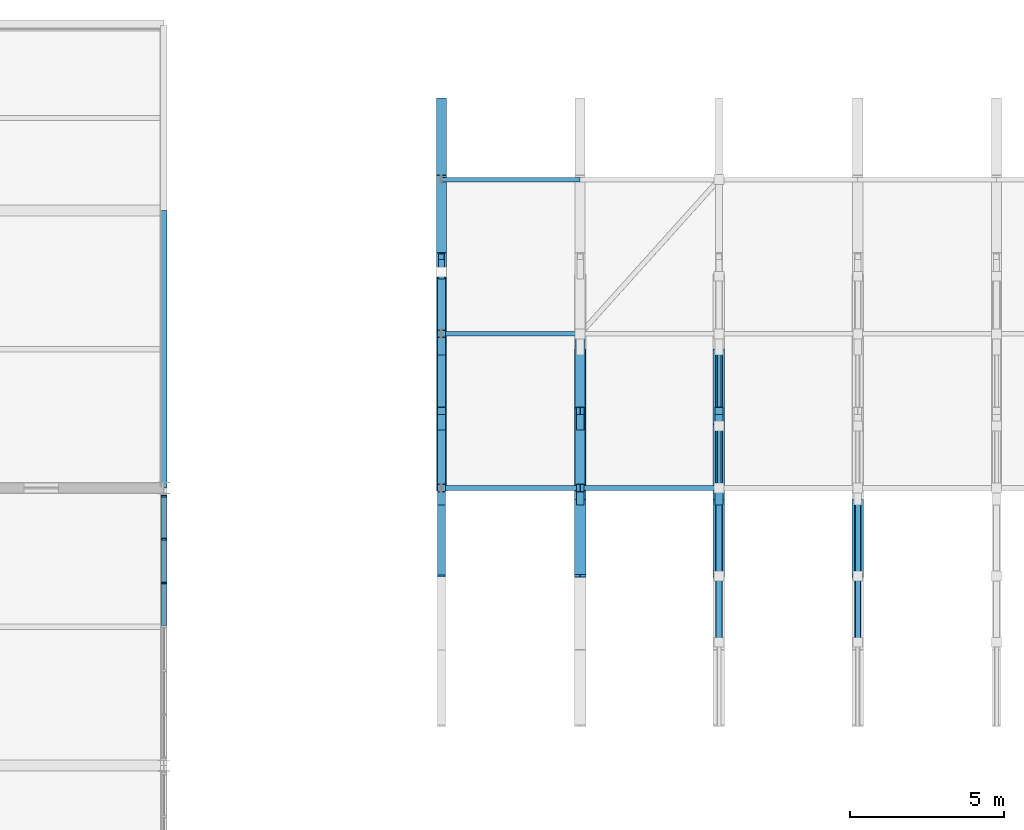
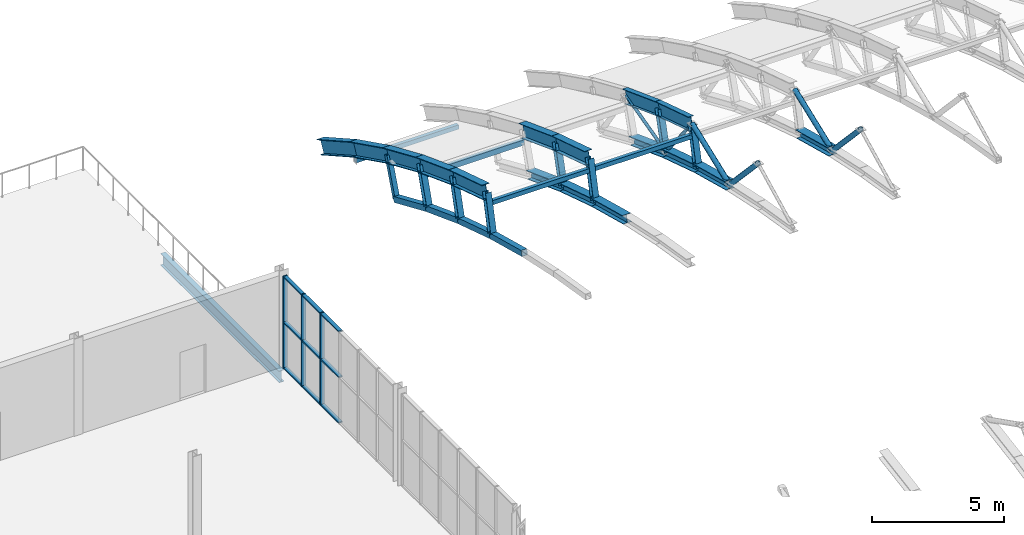
# One storey, part 37 of 103: 41 members, 10 beams, 1 element without a shape of its own.
"""IFC4 building model written with IfcOpenShell, lengths in metres."""

from ifc_helpers import new_model, si_unit, direction, frame, origin, origin_2d, place, context, subcontext, project, spatial, rectangle, hollow_rectangle, hollow_circle, i_section, extrude, material, layer, layer_set, material_profile, profile_set, type_object, element, aggregate, save


model = new_model("IFC4")

# Units and contexts
model_context = context("Model", 3, precision=1e-05, world=origin(), true_north=direction((0.0, 1.0)))
body_context = subcontext(model_context, "Body", "Model", "MODEL_VIEW")
ifc_project = project(units=[si_unit("LENGTHUNIT", "METRE"), si_unit("AREAUNIT", "SQUARE_METRE"), si_unit("VOLUMEUNIT", "CUBIC_METRE"), si_unit("PLANEANGLEUNIT", "RADIAN"), si_unit("MASSUNIT", "GRAM", prefix="KILO")], contexts=[model_context])

# Site, building, storey
site_placement = place(None, origin())
site = spatial("IfcSite", under=ifc_project, at=site_placement, CompositionType="ELEMENT")
building_placement = place(site_placement, origin())
building = spatial("IfcBuilding", under=site, at=building_placement, Name="Cazmaro Siding Exhibition Halls", CompositionType="ELEMENT")
storey_placement = place(building_placement, frame((0.0, 0.0, 16.5)))
storey = spatial("IfcBuildingStorey", under=building, at=storey_placement, Name="L03", CompositionType="ELEMENT", Elevation=16.5)

# Beams
ifc_material_1 = material(Name="Steel ASTM A992 Grade 50", Category="steel")
ifc_material_profile_1 = material_profile(ifc_material_1, i_section(OverallWidth=0.327880859375, OverallDepth=0.626953125, WebThickness=0.01708984375, FlangeThickness=0.028076171875, at=origin_2d()), Name="W24X146")
ifc_profile_set_1 = profile_set([ifc_material_profile_1], Name="Steel ASTM A992 Grade 50")
beam_type_1 = type_object("IfcBeamType", Name="AR-01", PredefinedType="USERDEFINED", material=ifc_profile_set_1)
beam_1_placement = place(storey_placement, frame((45.0, 109.0, 4.85498046875), z_axis=(0.0, 0.952769241759, -0.303695195811), x_axis=(-1.0, 0.0, 0.0)))
element("IfcBeam", 1, at=beam_1_placement, inside=storey, type_object=beam_type_1, Name="Space frame barrel vault arched rib AR-01 BM-0553", ObjectType="ARCHED RIB", PredefinedType="USERDEFINED", context=body_context, shape_type="SweptSolid", body=[
    extrude(i_section(OverallWidth=0.327880859375, OverallDepth=0.626953125, WebThickness=0.01708984375, FlangeThickness=0.028076171875, at=origin_2d()), origin(), (0.0, 0.0, 1.0), 2.6240234375),
])
beam_2_placement = place(storey_placement, frame((45.0, 111.5, 4.05810546875), z_axis=(0.0, 0.936509460339, -0.350642311615), x_axis=(-1.0, 0.0, 0.0)))
element("IfcBeam", 2, at=beam_2_placement, inside=storey, type_object=beam_type_1, Name="Space frame barrel vault arched rib AR-01 BM-0554", ObjectType="ARCHED RIB", PredefinedType="USERDEFINED", context=body_context, shape_type="SweptSolid", body=[
    extrude(i_section(OverallWidth=0.327880859375, OverallDepth=0.626953125, WebThickness=0.01708984375, FlangeThickness=0.028076171875, at=origin_2d()), origin(), (0.0, 0.0, 1.0), 2.66943359375),
])
beam_3_placement = place(storey_placement, frame((45.0, 114.0, 3.1220703125), z_axis=(0.0, 0.917729918626, -0.397204980405), x_axis=(-1.0, 0.0, 0.0)))
element("IfcBeam", 3, at=beam_3_placement, inside=storey, type_object=beam_type_1, Name="Space frame barrel vault arched rib AR-01 BM-0555", ObjectType="ARCHED RIB", PredefinedType="USERDEFINED", context=body_context, shape_type="SweptSolid", body=[
    extrude(i_section(OverallWidth=0.327880859375, OverallDepth=0.626953125, WebThickness=0.01708984375, FlangeThickness=0.028076171875, at=origin_2d()), origin(), (0.0, 0.0, 1.0), 2.72412109375),
])
beam_4_placement = place(storey_placement, frame((45.0, 116.5, 2.0400390625), z_axis=(0.0, 0.895996638269, -0.444060833908), x_axis=(-1.0, 0.0, 0.0)))
element("IfcBeam", 4, at=beam_4_placement, inside=storey, type_object=beam_type_1, Name="Space frame barrel vault arched rib AR-01 BM-0556", ObjectType="ARCHED RIB", PredefinedType="USERDEFINED", context=body_context, shape_type="SweptSolid", body=[
    extrude(i_section(OverallWidth=0.327880859375, OverallDepth=0.626953125, WebThickness=0.01708984375, FlangeThickness=0.028076171875, at=origin_2d()), origin(), (0.0, 0.0, 1.0), 2.790283203125),
])
beam_5_placement = place(storey_placement, frame((45.0, 119.0, 0.801025390625), z_axis=(0.0, 0.871320907359, -0.490713639916), x_axis=(-1.0, 0.0, 0.0)))
element("IfcBeam", 5, at=beam_5_placement, inside=storey, type_object=beam_type_1, Name="Space frame barrel vault arched rib AR-01 BM-0557", ObjectType="ARCHED RIB", PredefinedType="USERDEFINED", context=body_context, shape_type="SweptSolid", body=[
    extrude(i_section(OverallWidth=0.327880859375, OverallDepth=0.626953125, WebThickness=0.01708984375, FlangeThickness=0.028076171875, at=origin_2d()), origin(), (0.0, 0.0, 1.0), 2.869140625),
])
ifc_material_2 = material(Name="Steel ASTM A992 Grade 50", Category="steel")
ifc_material_profile_2 = material_profile(ifc_material_2, i_section(OverallWidth=0.324951171875, OverallDepth=0.612060546875, WebThickness=0.012939453125, FlangeThickness=0.01904296875, at=origin_2d()), Name="W24X104")
ifc_profile_set_2 = profile_set([ifc_material_profile_2], Name="Steel ASTM A992 Grade 50")
beam_type_2 = type_object("IfcBeamType", Name="AR-02", PredefinedType="USERDEFINED", material=ifc_profile_set_2)
beam_6_placement = place(storey_placement, frame((49.5, 109.0, 4.85498046875), z_axis=(0.0, 0.952769241759, -0.303695195811), x_axis=(-1.0, 0.0, 0.0)))
element("IfcBeam", 6, at=beam_6_placement, inside=storey, type_object=beam_type_2, Name="Space frame barrel vault arched rib AR-02 BM-0577", ObjectType="ARCHED RIB", PredefinedType="USERDEFINED", context=body_context, shape_type="SweptSolid", body=[
    extrude(i_section(OverallWidth=0.324951171875, OverallDepth=0.612060546875, WebThickness=0.012939453125, FlangeThickness=0.01904296875, at=origin_2d()), origin(), (0.0, 0.0, 1.0), 2.6240234375),
])
beam_7_placement = place(storey_placement, frame((49.5, 111.5, 4.05810546875), z_axis=(0.0, 0.936509460339, -0.350642311615), x_axis=(-1.0, 0.0, 0.0)))
element("IfcBeam", 7, at=beam_7_placement, inside=storey, type_object=beam_type_2, Name="Space frame barrel vault arched rib AR-02 BM-0578", ObjectType="ARCHED RIB", PredefinedType="USERDEFINED", context=body_context, shape_type="SweptSolid", body=[
    extrude(i_section(OverallWidth=0.324951171875, OverallDepth=0.612060546875, WebThickness=0.012939453125, FlangeThickness=0.01904296875, at=origin_2d()), origin(), (0.0, 0.0, 1.0), 2.66943359375),
])
ifc_material_3 = material(Name="Steel ASTM A992 Grade 50", Category="steel")
ifc_material_profile_3 = material_profile(ifc_material_3, i_section(OverallWidth=0.22900390625, OverallDepth=0.612060546875, WebThickness=0.011962890625, FlangeThickness=0.02001953125, at=origin_2d()), Name="W24X84")
ifc_profile_set_3 = profile_set([ifc_material_profile_3], Name="Steel ASTM A992 Grade 50")
beam_type_3 = type_object("IfcBeamType", Name="AR-03", PredefinedType="USERDEFINED", material=ifc_profile_set_3)
beam_8_placement = place(storey_placement, frame((54.0, 109.0, 4.85498046875), z_axis=(0.0, 0.952769241759, -0.303695195811), x_axis=(-1.0, 0.0, 0.0)))
element("IfcBeam", 8, at=beam_8_placement, inside=storey, type_object=beam_type_3, Name="Space frame barrel vault arched rib AR-03 BM-0601", ObjectType="ARCHED RIB", PredefinedType="USERDEFINED", context=body_context, shape_type="SweptSolid", body=[
    extrude(i_section(OverallWidth=0.22900390625, OverallDepth=0.612060546875, WebThickness=0.011962890625, FlangeThickness=0.02001953125, at=origin_2d()), origin(), (0.0, 0.0, 1.0), 2.6240234375),
])
beam_9_placement = place(storey_placement, frame((54.0, 111.5, 4.05810546875), z_axis=(0.0, 0.936509460339, -0.350642311615), x_axis=(-1.0, 0.0, 0.0)))
element("IfcBeam", 9, at=beam_9_placement, inside=storey, type_object=beam_type_3, Name="Space frame barrel vault arched rib AR-03 BM-0602", ObjectType="ARCHED RIB", PredefinedType="USERDEFINED", context=body_context, shape_type="SweptSolid", body=[
    extrude(i_section(OverallWidth=0.22900390625, OverallDepth=0.612060546875, WebThickness=0.011962890625, FlangeThickness=0.02001953125, at=origin_2d()), origin(), (0.0, 0.0, 1.0), 2.66943359375),
])
ifc_material_4 = material(Name="Steel ASTM A992 Grade 50", Category="steel")
ifc_material_profile_4 = material_profile(ifc_material_4, i_section(OverallWidth=0.214111328125, OverallDepth=0.549072265625, WebThickness=0.014892578125, FlangeThickness=0.02392578125, at=origin_2d()), Name="W21X93")
ifc_profile_set_4 = profile_set([ifc_material_profile_4], Name="Steel ASTM A992 Grade 50")
beam_type_4 = type_object("IfcBeamType", Name="B-01", PredefinedType="BEAM", material=ifc_profile_set_4)
beam_10_placement = place(storey_placement, frame((36.0, 109.0, -0.5439453125), z_axis=(0.0, 1.0, 0.0), x_axis=(-1.0, 0.0, 0.0)))
element("IfcBeam", 10, at=beam_10_placement, inside=storey, type_object=beam_type_4, Name="Beam B-01 BM-2276", PredefinedType="BEAM", context=body_context, shape_type="SweptSolid", body=[
    extrude(i_section(OverallWidth=0.214111328125, OverallDepth=0.549072265625, WebThickness=0.014892578125, FlangeThickness=0.02392578125, at=origin_2d()), origin(), (0.0, 0.0, 1.0), 9.0),
])

# Curtain wall, members
ifc_material_5 = material(Name="Anodized Bronze Aluminum and Solar-Control Low-E Glazing", Category="aluminium")
ifc_layer = layer(ifc_material_5, 0.179931640625)
ifc_layer_set = layer_set([ifc_layer], Name="Anodized Bronze Aluminum and Solar-Control Low-E Glazing")
curtain_wall_type = type_object("IfcCurtainWallType", Name="CWS-01", PredefinedType="USERDEFINED", material=ifc_layer_set)
curtain_wall_placement = place(storey_placement, origin())
curtain_wall = element("IfcCurtainWall", 11, at=curtain_wall_placement, inside=storey, type_object=curtain_wall_type, Name="Glazed Curtain Wall CWS-01 CW-255", ObjectType="GLAZED CURTAIN WALL", PredefinedType="USERDEFINED")
ifc_material_6 = material(Name="Anodized Bronze Extruded Aluminum", Category="aluminium")
ifc_material_profile_5 = material_profile(ifc_material_6, rectangle(XDim=0.179931640625, YDim=0.06005859375, at=origin_2d()), Name="CWM-01")
ifc_profile_set_5 = profile_set([ifc_material_profile_5], Name="Anodized Bronze Extruded Aluminum")
member_type_1 = type_object("IfcMemberType", Name="CWM-01", PredefinedType="MULLION", material=ifc_profile_set_5)
member_1_placement = place(storey_placement, frame((36.0, 105.92236328125, 0.0), z_axis=(0.0, 0.0, 1.0), x_axis=(-1.0, 0.0, 0.0)))
member_1 = element("IfcMember", 12, at=member_1_placement, type_object=member_type_1, Name="CWS-01 mullion 5", PredefinedType="MULLION", context=body_context, shape_type="SweptSolid", body=[
    extrude(rectangle(XDim=0.179931640625, YDim=0.06005859375, at=origin_2d()), origin(), (0.0, 0.0, 1.0), 4.280029296875),
])
member_2_placement = place(storey_placement, frame((36.0, 107.3447265625, 0.0), z_axis=(0.0, 0.0, 1.0), x_axis=(-1.0, 0.0, 0.0)))
member_2 = element("IfcMember", 13, at=member_2_placement, type_object=member_type_1, Name="CWS-01 mullion 6", PredefinedType="MULLION", context=body_context, shape_type="SweptSolid", body=[
    extrude(rectangle(XDim=0.179931640625, YDim=0.06005859375, at=origin_2d()), origin(), (0.0, 0.0, 1.0), 4.280029296875),
])
member_3_placement = place(storey_placement, frame((36.0, 108.737060546875, 0.0), z_axis=(0.0, 0.0, 1.0), x_axis=(-1.0, 0.0, 0.0)))
member_3 = element("IfcMember", 14, at=member_3_placement, type_object=member_type_1, Name="CWS-01 mullion 7", PredefinedType="MULLION", context=body_context, shape_type="SweptSolid", body=[
    extrude(rectangle(XDim=0.179931640625, YDim=0.06005859375, at=origin_2d()), origin(), (0.0, 0.0, 1.0), 4.280029296875),
])
ifc_material_7 = material(Name="Anodized Bronze Extruded Aluminum", Category="aluminium")
ifc_material_profile_6 = material_profile(ifc_material_7, rectangle(XDim=0.159912109375, YDim=0.06005859375, at=origin_2d()), Name="CWT-01")
ifc_profile_set_6 = profile_set([ifc_material_profile_6], Name="Anodized Bronze Extruded Aluminum")
member_type_2 = type_object("IfcMemberType", Name="CWT-01", PredefinedType="MULLION", material=ifc_profile_set_6)
member_4_placement = place(storey_placement, frame((36.0, 104.530029296875, 0.030029296875), z_axis=(0.0, 1.0, 0.0), x_axis=(-1.0, 0.0, 0.0)))
member_4 = element("IfcMember", 15, at=member_4_placement, type_object=member_type_2, Name="CWS-01 transom 4.1", ObjectType="TRANSOM", PredefinedType="USERDEFINED", context=body_context, shape_type="SweptSolid", body=[
    extrude(rectangle(XDim=0.159912109375, YDim=0.06005859375, at=origin_2d()), origin(), (0.0, 0.0, 1.0), 1.3623046875),
])
member_5_placement = place(storey_placement, frame((36.0, 104.530029296875, 2.139892578125), z_axis=(0.0, 1.0, 0.0), x_axis=(-1.0, 0.0, 0.0)))
member_5 = element("IfcMember", 16, at=member_5_placement, type_object=member_type_2, Name="CWS-01 transom 4.2", ObjectType="TRANSOM", PredefinedType="USERDEFINED", context=body_context, shape_type="SweptSolid", body=[
    extrude(rectangle(XDim=0.159912109375, YDim=0.06005859375, at=origin_2d()), origin(), (0.0, 0.0, 1.0), 1.3623046875),
])
member_6_placement = place(storey_placement, frame((36.0, 104.530029296875, 4.25), z_axis=(0.0, 1.0, 0.0), x_axis=(-1.0, 0.0, 0.0)))
member_6 = element("IfcMember", 17, at=member_6_placement, type_object=member_type_2, Name="CWS-01 transom 4.3", ObjectType="TRANSOM", PredefinedType="USERDEFINED", context=body_context, shape_type="SweptSolid", body=[
    extrude(rectangle(XDim=0.159912109375, YDim=0.06005859375, at=origin_2d()), origin(), (0.0, 0.0, 1.0), 1.3623046875),
])
member_7_placement = place(storey_placement, frame((36.0, 105.952392578125, 0.030029296875), z_axis=(0.0, 1.0, 0.0), x_axis=(-1.0, 0.0, 0.0)))
member_7 = element("IfcMember", 18, at=member_7_placement, type_object=member_type_2, Name="CWS-01 transom 5.1", ObjectType="TRANSOM", PredefinedType="USERDEFINED", context=body_context, shape_type="SweptSolid", body=[
    extrude(rectangle(XDim=0.159912109375, YDim=0.06005859375, at=origin_2d()), origin(), (0.0, 0.0, 1.0), 1.3623046875),
])
member_8_placement = place(storey_placement, frame((36.0, 105.952392578125, 2.139892578125), z_axis=(0.0, 1.0, 0.0), x_axis=(-1.0, 0.0, 0.0)))
member_8 = element("IfcMember", 19, at=member_8_placement, type_object=member_type_2, Name="CWS-01 transom 5.2", ObjectType="TRANSOM", PredefinedType="USERDEFINED", context=body_context, shape_type="SweptSolid", body=[
    extrude(rectangle(XDim=0.159912109375, YDim=0.06005859375, at=origin_2d()), origin(), (0.0, 0.0, 1.0), 1.3623046875),
])
member_9_placement = place(storey_placement, frame((36.0, 105.952392578125, 4.25), z_axis=(0.0, 1.0, 0.0), x_axis=(-1.0, 0.0, 0.0)))
member_9 = element("IfcMember", 20, at=member_9_placement, type_object=member_type_2, Name="CWS-01 transom 5.3", ObjectType="TRANSOM", PredefinedType="USERDEFINED", context=body_context, shape_type="SweptSolid", body=[
    extrude(rectangle(XDim=0.159912109375, YDim=0.06005859375, at=origin_2d()), origin(), (0.0, 0.0, 1.0), 1.3623046875),
])
member_10_placement = place(storey_placement, frame((36.0, 107.374755859375, 0.030029296875), z_axis=(0.0, 1.0, 0.0), x_axis=(-1.0, 0.0, 0.0)))
member_10 = element("IfcMember", 21, at=member_10_placement, type_object=member_type_2, Name="CWS-01 transom 6.1", ObjectType="TRANSOM", PredefinedType="USERDEFINED", context=body_context, shape_type="SweptSolid", body=[
    extrude(rectangle(XDim=0.159912109375, YDim=0.06005859375, at=origin_2d()), origin(), (0.0, 0.0, 1.0), 1.332275390625),
])
member_11_placement = place(storey_placement, frame((36.0, 107.374755859375, 2.139892578125), z_axis=(0.0, 1.0, 0.0), x_axis=(-1.0, 0.0, 0.0)))
member_11 = element("IfcMember", 22, at=member_11_placement, type_object=member_type_2, Name="CWS-01 transom 6.2", ObjectType="TRANSOM", PredefinedType="USERDEFINED", context=body_context, shape_type="SweptSolid", body=[
    extrude(rectangle(XDim=0.159912109375, YDim=0.06005859375, at=origin_2d()), origin(), (0.0, 0.0, 1.0), 1.332275390625),
])
member_12_placement = place(storey_placement, frame((36.0, 107.374755859375, 4.25), z_axis=(0.0, 1.0, 0.0), x_axis=(-1.0, 0.0, 0.0)))
member_12 = element("IfcMember", 23, at=member_12_placement, type_object=member_type_2, Name="CWS-01 transom 6.3", ObjectType="TRANSOM", PredefinedType="USERDEFINED", context=body_context, shape_type="SweptSolid", body=[
    extrude(rectangle(XDim=0.159912109375, YDim=0.06005859375, at=origin_2d()), origin(), (0.0, 0.0, 1.0), 1.332275390625),
])
aggregate(curtain_wall, [member_1, member_2, member_3, member_4, member_5, member_6, member_7, member_8, member_9, member_10, member_11, member_12])

# Members
ifc_material_8 = material(Name="Steel ASTM A500 Grade C", Category="steel")
ifc_material_profile_7 = material_profile(ifc_material_8, hollow_rectangle(XDim=0.152099609375, YDim=0.202880859375, WallThickness=0.011962890625, at=origin_2d()), Name="HSS8X6X1/2")
ifc_profile_set_7 = profile_set([ifc_material_profile_7], Name="Steel ASTM A500 Grade C")
member_type_3 = type_object("IfcMemberType", Name="RP-01", PredefinedType="PURLIN", material=ifc_profile_set_7)
for number, where, z_axis, x_axis, name in (
    (24, (45.0, 109.0, 4.31494140625), (1.0, 0.0, 0.0), (0.0, 1.0, 0.0), "Space frame barrel vault purlin RP-01 MEM-1972"),
    (25, (45.0, 119.0, 0.260986328125), (1.0, 0.0, 0.0), (0.0, 1.0, 0.0), "Space frame barrel vault purlin RP-01 MEM-1974"),
    (26, (49.5, 109.0, 4.31494140625), (1.0, 0.0, 0.0), (0.0, 1.0, 0.0), "Space frame barrel vault purlin RP-01 MEM-1983"),
):
    element("IfcMember", number, at=place(storey_placement, frame(where, z_axis=z_axis, x_axis=x_axis)), inside=storey, type_object=member_type_3, Name=name, PredefinedType="PURLIN", context=body_context, shape_type="SweptSolid", body=[
        extrude(hollow_rectangle(XDim=0.152099609375, YDim=0.202880859375, WallThickness=0.011962890625, at=origin_2d()), origin(), (0.0, 0.0, 1.0), 4.5),
    ])
ifc_material_9 = material(Name="Steel ASTM A500 Grade C", Category="steel")
ifc_material_profile_8 = material_profile(ifc_material_9, hollow_rectangle(XDim=0.152099609375, YDim=0.25390625, WallThickness=0.011962890625, at=origin_2d()), Name="HSS10X6X1/2")
ifc_profile_set_8 = profile_set([ifc_material_profile_8], Name="Steel ASTM A500 Grade C")
member_type_4 = type_object("IfcMemberType", Name="RP-04", PredefinedType="PURLIN", material=ifc_profile_set_8)
member_13_placement = place(storey_placement, frame((45.0, 114.0, 2.58203125), z_axis=(1.0, 0.0, 0.0), x_axis=(0.0, 1.0, 0.0)))
element("IfcMember", 27, at=member_13_placement, inside=storey, type_object=member_type_4, Name="Space frame barrel vault purlin RP-04 MEM-1973", PredefinedType="PURLIN", context=body_context, shape_type="SweptSolid", body=[
    extrude(hollow_rectangle(XDim=0.152099609375, YDim=0.25390625, WallThickness=0.011962890625, at=origin_2d()), origin(), (0.0, 0.0, 1.0), 4.5),
])
ifc_material_10 = material(Name="Steel ASTM A500 Grade C", Category="steel")
ifc_material_profile_9 = material_profile(ifc_material_10, hollow_rectangle(XDim=0.25390625, YDim=0.25390625, WallThickness=0.014892578125, at=origin_2d()), Name="HSS10X10X5/8")
ifc_profile_set_9 = profile_set([ifc_material_profile_9], Name="Steel ASTM A500 Grade C")
member_type_5 = type_object("IfcMemberType", Name="TC-01", PredefinedType="CHORD", material=ifc_profile_set_9)
member_14_placement = place(storey_placement, frame((45.0, 106.14990234375, 3.760986328125), z_axis=(0.0, 0.966437683387, -0.256901156343), x_axis=(-1.0, 0.0, 0.0)))
element("IfcMember", 28, at=member_14_placement, inside=storey, type_object=member_type_5, Name="Space frame barrel vault bottom chord TC-01 MEM-0018", PredefinedType="CHORD", context=body_context, shape_type="SweptSolid", body=[
    extrude(hollow_rectangle(XDim=0.25390625, YDim=0.25390625, WallThickness=0.014892578125, at=origin_2d()), origin(), (0.0, 0.0, 1.0), 2.5146484375),
])
member_15_placement = place(storey_placement, frame((45.0, 108.580078125, 3.114990234375), z_axis=(0.0, 0.952692842525, -0.303934775573), x_axis=(-1.0, 0.0, 0.0)))
element("IfcMember", 29, at=member_15_placement, inside=storey, type_object=member_type_5, Name="Space frame barrel vault bottom chord TC-01 MEM-0019", PredefinedType="CHORD", context=body_context, shape_type="SweptSolid", body=[
    extrude(hollow_rectangle(XDim=0.25390625, YDim=0.25390625, WallThickness=0.014892578125, at=origin_2d()), origin(), (0.0, 0.0, 1.0), 2.549560546875),
])
member_16_placement = place(storey_placement, frame((45.0, 111.009033203125, 2.340087890625), z_axis=(0.0, 0.936588022869, -0.350432412053), x_axis=(-1.0, 0.0, 0.0)))
element("IfcMember", 30, at=member_16_placement, inside=storey, type_object=member_type_5, Name="Space frame barrel vault bottom chord TC-01 MEM-0020", PredefinedType="CHORD", context=body_context, shape_type="SweptSolid", body=[
    extrude(hollow_rectangle(XDim=0.25390625, YDim=0.25390625, WallThickness=0.014892578125, at=origin_2d()), origin(), (0.0, 0.0, 1.0), 2.594482421875),
])
member_17_placement = place(storey_placement, frame((45.0, 113.43896484375, 1.430908203125), z_axis=(0.0, 0.917689003843, -0.397299499403), x_axis=(-1.0, 0.0, 0.0)))
element("IfcMember", 31, at=member_17_placement, inside=storey, type_object=member_type_5, Name="Space frame barrel vault bottom chord TC-01 MEM-0021", PredefinedType="CHORD", context=body_context, shape_type="SweptSolid", body=[
    extrude(hollow_rectangle(XDim=0.25390625, YDim=0.25390625, WallThickness=0.014892578125, at=origin_2d()), origin(), (0.0, 0.0, 1.0), 2.64794921875),
])
ifc_material_11 = material(Name="Steel ASTM A992 Grade 50", Category="steel")
ifc_material_profile_10 = material_profile(ifc_material_11, i_section(OverallWidth=0.37109375, OverallDepth=0.364013671875, WebThickness=0.012939453125, FlangeThickness=0.02197265625, at=origin_2d()), Name="W14X109")
ifc_profile_set_10 = profile_set([ifc_material_profile_10], Name="Steel ASTM A992 Grade 50")
member_type_6 = type_object("IfcMemberType", Name="TC-06", PredefinedType="CHORD", material=ifc_profile_set_10)
member_18_placement = place(storey_placement, frame((49.5, 106.14990234375, 3.760986328125), z_axis=(0.0, 0.966437683387, -0.256901156343), x_axis=(-1.0, 0.0, 0.0)))
element("IfcMember", 32, at=member_18_placement, inside=storey, type_object=member_type_6, Name="Space frame barrel vault bottom chord TC-06 MEM-0065", PredefinedType="CHORD", context=body_context, shape_type="SweptSolid", body=[
    extrude(i_section(OverallWidth=0.37109375, OverallDepth=0.364013671875, WebThickness=0.012939453125, FlangeThickness=0.02197265625, at=origin_2d()), origin(), (0.0, 0.0, 1.0), 2.5146484375),
])
member_19_placement = place(storey_placement, frame((49.5, 108.580078125, 3.114990234375), z_axis=(0.0, 0.952692842525, -0.303934775573), x_axis=(-1.0, 0.0, 0.0)))
element("IfcMember", 33, at=member_19_placement, inside=storey, type_object=member_type_6, Name="Space frame barrel vault bottom chord TC-06 MEM-0066", PredefinedType="CHORD", context=body_context, shape_type="SweptSolid", body=[
    extrude(i_section(OverallWidth=0.37109375, OverallDepth=0.364013671875, WebThickness=0.012939453125, FlangeThickness=0.02197265625, at=origin_2d()), origin(), (0.0, 0.0, 1.0), 2.549560546875),
])
member_20_placement = place(storey_placement, frame((49.5, 111.009033203125, 2.340087890625), z_axis=(0.0, 0.936588022869, -0.350432412053), x_axis=(-1.0, 0.0, 0.0)))
element("IfcMember", 34, at=member_20_placement, inside=storey, type_object=member_type_6, Name="Space frame barrel vault bottom chord TC-06 MEM-0067", PredefinedType="CHORD", context=body_context, shape_type="SweptSolid", body=[
    extrude(i_section(OverallWidth=0.37109375, OverallDepth=0.364013671875, WebThickness=0.012939453125, FlangeThickness=0.02197265625, at=origin_2d()), origin(), (0.0, 0.0, 1.0), 2.594482421875),
])
member_21_placement = place(storey_placement, frame((54.0, 106.14990234375, 3.760986328125), z_axis=(0.0, 0.966437683387, -0.256901156343), x_axis=(-1.0, 0.0, 0.0)))
element("IfcMember", 35, at=member_21_placement, inside=storey, type_object=member_type_6, Name="Space frame barrel vault bottom chord TC-06 MEM-0129", PredefinedType="CHORD", context=body_context, shape_type="SweptSolid", body=[
    extrude(i_section(OverallWidth=0.37109375, OverallDepth=0.364013671875, WebThickness=0.012939453125, FlangeThickness=0.02197265625, at=origin_2d()), origin(), (0.0, 0.0, 1.0), 2.5146484375),
])
member_22_placement = place(storey_placement, frame((54.0, 108.580078125, 3.114990234375), z_axis=(0.0, 0.952692842525, -0.303934775573), x_axis=(-1.0, 0.0, 0.0)))
element("IfcMember", 36, at=member_22_placement, inside=storey, type_object=member_type_6, Name="Space frame barrel vault bottom chord TC-06 MEM-0131", PredefinedType="CHORD", context=body_context, shape_type="SweptSolid", body=[
    extrude(i_section(OverallWidth=0.37109375, OverallDepth=0.364013671875, WebThickness=0.012939453125, FlangeThickness=0.02197265625, at=origin_2d()), origin(), (0.0, 0.0, 1.0), 2.549560546875),
])
member_23_placement = place(storey_placement, frame((54.0, 111.009033203125, 2.340087890625), z_axis=(0.0, 0.936588022869, -0.350432412053), x_axis=(-1.0, 0.0, 0.0)))
element("IfcMember", 37, at=member_23_placement, inside=storey, type_object=member_type_6, Name="Space frame barrel vault bottom chord TC-06 MEM-0133", PredefinedType="CHORD", context=body_context, shape_type="SweptSolid", body=[
    extrude(i_section(OverallWidth=0.37109375, OverallDepth=0.364013671875, WebThickness=0.012939453125, FlangeThickness=0.02197265625, at=origin_2d()), origin(), (0.0, 0.0, 1.0), 2.594482421875),
])
member_24_placement = place(storey_placement, frame((58.5, 106.14990234375, 3.760986328125), z_axis=(0.0, 0.966437683387, -0.256901156343), x_axis=(-1.0, 0.0, 0.0)))
element("IfcMember", 38, at=member_24_placement, inside=storey, type_object=member_type_6, Name="Space frame barrel vault bottom chord TC-06 MEM-0200", PredefinedType="CHORD", context=body_context, shape_type="SweptSolid", body=[
    extrude(i_section(OverallWidth=0.37109375, OverallDepth=0.364013671875, WebThickness=0.012939453125, FlangeThickness=0.02197265625, at=origin_2d()), origin(), (0.0, 0.0, 1.0), 2.5146484375),
])
ifc_material_12 = material(Name="Steel ASTM A500 Grade C", Category="steel")
ifc_material_profile_11 = material_profile(ifc_material_12, hollow_rectangle(XDim=0.202880859375, YDim=0.202880859375, WallThickness=0.011962890625, at=origin_2d()), Name="HSS8X8X1/2")
ifc_profile_set_11 = profile_set([ifc_material_profile_11], Name="Steel ASTM A500 Grade C")
member_type_7 = type_object("IfcMemberType", Name="TP-01", PredefinedType="POST", material=ifc_profile_set_11)
member_25_placement = place(storey_placement, frame((45.0, 115.868896484375, 0.37890625), z_axis=(0.0, 0.355155331276, 0.934807301355), x_axis=(-1.0, 0.0, 0.0)))
element("IfcMember", 39, at=member_25_placement, inside=storey, type_object=member_type_7, Name="Space frame barrel vault post TP-01 MEM-0045", PredefinedType="POST", context=body_context, shape_type="SweptSolid", body=[
    extrude(hollow_rectangle(XDim=0.202880859375, YDim=0.202880859375, WallThickness=0.011962890625, at=origin_2d()), origin(), (0.0, 0.0, 1.0), 1.777099609375),
])
ifc_material_13 = material(Name="Steel ASTM A992 Grade 50", Category="steel")
ifc_material_profile_12 = material_profile(ifc_material_13, i_section(OverallWidth=0.25390625, OverallDepth=0.25390625, WebThickness=0.009033203125, FlangeThickness=0.013916015625, at=origin_2d()), Name="W10X49")
ifc_profile_set_12 = profile_set([ifc_material_profile_12], Name="Steel ASTM A992 Grade 50")
member_type_8 = type_object("IfcMemberType", Name="TP-04", PredefinedType="POST", material=ifc_profile_set_12)
member_26_placement = place(storey_placement, frame((45.0, 108.580078125, 3.114990234375), z_axis=(0.0, 0.234600533729, 0.972091862724), x_axis=(-1.0, 0.0, 0.0)))
element("IfcMember", 40, at=member_26_placement, inside=storey, type_object=member_type_8, Name="Space frame barrel vault post TP-04 MEM-0042", PredefinedType="POST", context=body_context, shape_type="SweptSolid", body=[
    extrude(i_section(OverallWidth=0.25390625, OverallDepth=0.25390625, WebThickness=0.009033203125, FlangeThickness=0.013916015625, at=origin_2d()), origin(), (0.0, 0.0, 1.0), 1.7900390625),
])
member_27_placement = place(storey_placement, frame((45.0, 111.009033203125, 2.340087890625), z_axis=(0.0, 0.274775266308, 0.961508477875), x_axis=(-1.0, 0.0, 0.0)))
element("IfcMember", 41, at=member_27_placement, inside=storey, type_object=member_type_8, Name="Space frame barrel vault post TP-04 MEM-0043", PredefinedType="POST", context=body_context, shape_type="SweptSolid", body=[
    extrude(i_section(OverallWidth=0.25390625, OverallDepth=0.25390625, WebThickness=0.009033203125, FlangeThickness=0.013916015625, at=origin_2d()), origin(), (0.0, 0.0, 1.0), 1.786865234375),
])
member_28_placement = place(storey_placement, frame((45.0, 113.43896484375, 1.430908203125), z_axis=(0.0, 0.314870949103, 0.949134492794), x_axis=(-1.0, 0.0, 0.0)))
element("IfcMember", 42, at=member_28_placement, inside=storey, type_object=member_type_8, Name="Space frame barrel vault post TP-04 MEM-0044", PredefinedType="POST", context=body_context, shape_type="SweptSolid", body=[
    extrude(i_section(OverallWidth=0.25390625, OverallDepth=0.25390625, WebThickness=0.009033203125, FlangeThickness=0.013916015625, at=origin_2d()), origin(), (0.0, 0.0, 1.0), 1.78173828125),
])
member_29_placement = place(storey_placement, frame((49.5, 108.580078125, 3.114990234375), z_axis=(0.0, 0.234600533729, 0.972091862724), x_axis=(-1.0, 0.0, 0.0)))
element("IfcMember", 43, at=member_29_placement, inside=storey, type_object=member_type_8, Name="Space frame barrel vault post TP-04 MEM-0089", PredefinedType="POST", context=body_context, shape_type="SweptSolid", body=[
    extrude(i_section(OverallWidth=0.25390625, OverallDepth=0.25390625, WebThickness=0.009033203125, FlangeThickness=0.013916015625, at=origin_2d()), origin(), (0.0, 0.0, 1.0), 1.7900390625),
])
member_30_placement = place(storey_placement, frame((49.5, 111.009033203125, 2.340087890625), z_axis=(0.0, 0.274775266308, 0.961508477875), x_axis=(-1.0, 0.0, 0.0)))
element("IfcMember", 44, at=member_30_placement, inside=storey, type_object=member_type_8, Name="Space frame barrel vault post TP-04 MEM-0090", PredefinedType="POST", context=body_context, shape_type="SweptSolid", body=[
    extrude(i_section(OverallWidth=0.25390625, OverallDepth=0.25390625, WebThickness=0.009033203125, FlangeThickness=0.013916015625, at=origin_2d()), origin(), (0.0, 0.0, 1.0), 1.786865234375),
])
member_31_placement = place(storey_placement, frame((54.0, 108.580078125, 3.114990234375), z_axis=(0.0, 0.234600533729, 0.972091862724), x_axis=(-1.0, 0.0, 0.0)))
element("IfcMember", 45, at=member_31_placement, inside=storey, type_object=member_type_8, Name="Space frame barrel vault post TP-04 MEM-0160", PredefinedType="POST", context=body_context, shape_type="SweptSolid", body=[
    extrude(i_section(OverallWidth=0.25390625, OverallDepth=0.25390625, WebThickness=0.009033203125, FlangeThickness=0.013916015625, at=origin_2d()), origin(), (0.0, 0.0, 1.0), 1.7900390625),
])
member_32_placement = place(storey_placement, frame((54.0, 111.009033203125, 2.340087890625), z_axis=(0.0, 0.274775266308, 0.961508477875), x_axis=(-1.0, 0.0, 0.0)))
element("IfcMember", 46, at=member_32_placement, inside=storey, type_object=member_type_8, Name="Space frame barrel vault post TP-04 MEM-0161", PredefinedType="POST", context=body_context, shape_type="SweptSolid", body=[
    extrude(i_section(OverallWidth=0.25390625, OverallDepth=0.25390625, WebThickness=0.009033203125, FlangeThickness=0.013916015625, at=origin_2d()), origin(), (0.0, 0.0, 1.0), 1.786865234375),
])
ifc_material_14 = material(Name="Steel ASTM A500 Grade C", Category="steel")
ifc_material_profile_13 = material_profile(ifc_material_14, hollow_circle(Radius=0.109619140625, WallThickness=0.012939453125, at=origin_2d()), Name="PIPE8XS")
ifc_profile_set_13 = profile_set([ifc_material_profile_13], Name="Steel ASTM A500 Grade C")
member_type_9 = type_object("IfcMemberType", Name="WB-01", PredefinedType="BRACE", material=ifc_profile_set_13)
member_33_placement = place(storey_placement, frame((54.0, 104.0, 6.056884765625), z_axis=(0.0, 0.683517575744, -0.729934054315), x_axis=(-1.0, 0.0, 0.0)))
element("IfcMember", 47, at=member_33_placement, inside=storey, type_object=member_type_9, Name="Space frame barrel vault diagonal WB-01 MEM-0128", PredefinedType="BRACE", context=body_context, shape_type="SweptSolid", body=[
    extrude(hollow_circle(Radius=0.109619140625, WallThickness=0.012939453125, at=origin_2d()), origin(), (0.0, 0.0, 1.0), 3.145263671875),
])
member_34_placement = place(storey_placement, frame((54.0, 106.14990234375, 3.760986328125), z_axis=(0.0, 0.933586546586, 0.358352005761), x_axis=(-1.0, 0.0, 0.0)))
element("IfcMember", 48, at=member_34_placement, inside=storey, type_object=member_type_9, Name="Space frame barrel vault diagonal WB-01 MEM-0130", PredefinedType="BRACE", context=body_context, shape_type="SweptSolid", body=[
    extrude(hollow_circle(Radius=0.109619140625, WallThickness=0.012939453125, at=origin_2d()), origin(), (0.0, 0.0, 1.0), 3.052734375),
])
member_35_placement = place(storey_placement, frame((58.5, 104.0, 6.056884765625), z_axis=(0.0, 0.683517575744, -0.729934054315), x_axis=(-1.0, 0.0, 0.0)))
element("IfcMember", 49, at=member_35_placement, inside=storey, type_object=member_type_9, Name="Space frame barrel vault diagonal WB-01 MEM-0199", PredefinedType="BRACE", context=body_context, shape_type="SweptSolid", body=[
    extrude(hollow_circle(Radius=0.109619140625, WallThickness=0.012939453125, at=origin_2d()), origin(), (0.0, 0.0, 1.0), 3.145263671875),
])
member_36_placement = place(storey_placement, frame((58.5, 106.14990234375, 3.760986328125), z_axis=(0.0, 0.933586546586, 0.358352005761), x_axis=(-1.0, 0.0, 0.0)))
element("IfcMember", 50, at=member_36_placement, inside=storey, type_object=member_type_9, Name="Space frame barrel vault diagonal WB-01 MEM-0201", PredefinedType="BRACE", context=body_context, shape_type="SweptSolid", body=[
    extrude(hollow_circle(Radius=0.109619140625, WallThickness=0.012939453125, at=origin_2d()), origin(), (0.0, 0.0, 1.0), 3.052734375),
])
ifc_material_15 = material(Name="Steel ASTM A500 Grade C", Category="steel")
ifc_material_profile_14 = material_profile(ifc_material_15, hollow_circle(Radius=0.070556640625, WallThickness=0.01904296875, at=origin_2d()), Name="PIPE5XXS")
ifc_profile_set_14 = profile_set([ifc_material_profile_14], Name="Steel ASTM A500 Grade C")
member_type_10 = type_object("IfcMemberType", Name="WB-07", PredefinedType="BRACE", material=ifc_profile_set_14)
member_37_placement = place(storey_placement, frame((54.0, 109.0, 4.85498046875), z_axis=(0.0, 0.624149162907, -0.781305204412), x_axis=(-1.0, 0.0, 0.0)))
element("IfcMember", 51, at=member_37_placement, inside=storey, type_object=member_type_10, Name="Space frame barrel vault diagonal WB-07 MEM-0132", PredefinedType="BRACE", context=body_context, shape_type="SweptSolid", body=[
    extrude(hollow_circle(Radius=0.070556640625, WallThickness=0.01904296875, at=origin_2d()), origin(), (0.0, 0.0, 1.0), 3.21875),
])
member_38_placement = place(storey_placement, frame((54.0, 111.009033203125, 2.340087890625), z_axis=(0.0, 0.967480432857, 0.252945867802), x_axis=(-1.0, 0.0, 0.0)))
element("IfcMember", 52, at=member_38_placement, inside=storey, type_object=member_type_10, Name="Space frame barrel vault diagonal WB-07 MEM-0134", PredefinedType="BRACE", context=body_context, shape_type="SweptSolid", body=[
    extrude(hollow_circle(Radius=0.070556640625, WallThickness=0.01904296875, at=origin_2d()), origin(), (0.0, 0.0, 1.0), 3.091552734375),
])

save(model, "model.ifc")
